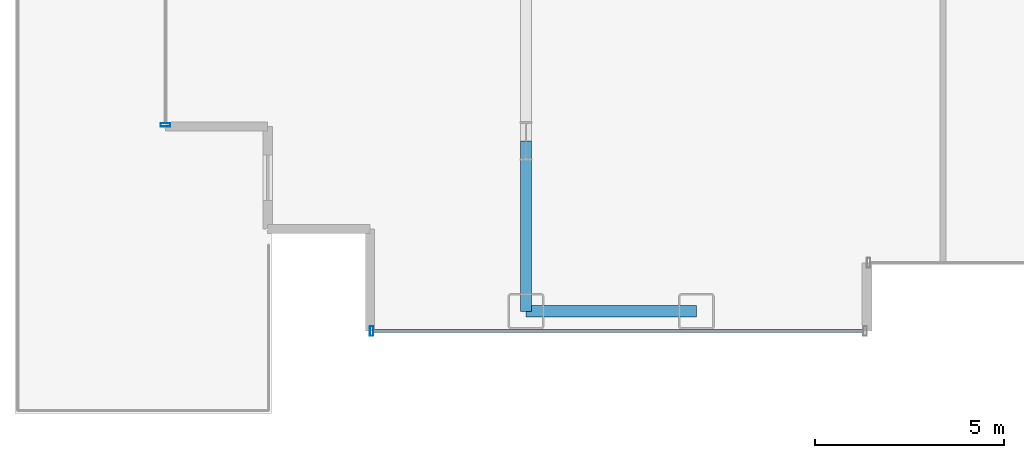
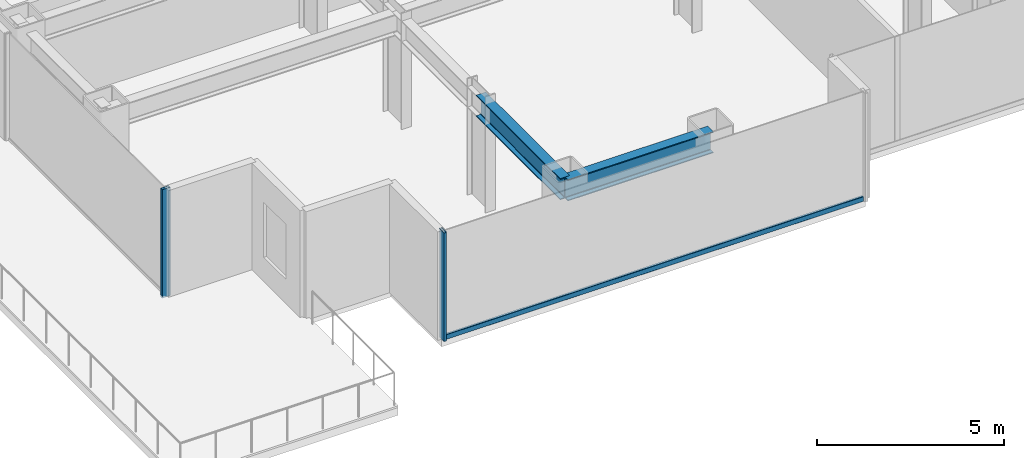
# One storey, part 2 of 30: 3 members, 2 beams, 2 elements without a shape of their own.
"""IFC4 building model written with IfcOpenShell, lengths in metres."""

from ifc_helpers import new_model, si_unit, direction, frame, origin, origin_2d, place, context, subcontext, project, spatial, hollow_rectangle, i_section, extrude, source, transform, mapped, material, layer, layer_set, material_profile, profile_set, type_object, element, aggregate, save


model = new_model("IFC4")

# Units and contexts
model_context = context("Model", 3, precision=1e-05, world=origin(), true_north=direction((0.0, 1.0)))
body_context = subcontext(model_context, "Body", "Model", "MODEL_VIEW")
ifc_project = project(units=[si_unit("LENGTHUNIT", "METRE"), si_unit("AREAUNIT", "SQUARE_METRE"), si_unit("VOLUMEUNIT", "CUBIC_METRE"), si_unit("PLANEANGLEUNIT", "RADIAN"), si_unit("MASSUNIT", "GRAM", prefix="KILO")], contexts=[model_context])

# Site, building, storey
site_placement = place(None, origin())
site = spatial("IfcSite", under=ifc_project, at=site_placement, CompositionType="ELEMENT")
building_placement = place(site_placement, origin())
building = spatial("IfcBuilding", under=site, at=building_placement, Name="Nefas-Gora Pilgrimage Tower", CompositionType="ELEMENT")
storey_placement = place(building_placement, frame((0.0, 0.0, 33.0)))
storey = spatial("IfcBuildingStorey", under=building, at=storey_placement, Name="L06", CompositionType="ELEMENT", Elevation=33.0)

# Beams
ifc_material_1 = material(Name="Steel S355", Category="steel")
ifc_material_profile_1 = material_profile(ifc_material_1, i_section(OverallWidth=0.300048828125, OverallDepth=0.699951171875, WebThickness=0.01708984375, FlangeThickness=0.031982421875, FilletRadius=0.027099609375, at=origin_2d()), Name="HEB 700")
ifc_profile_set_1 = profile_set([ifc_material_profile_1], Name="Steel S355")
beam_type_1 = type_object("IfcBeamType", Name="BM-SPN-HEB600", PredefinedType="SPANDREL", material=ifc_profile_set_1)
shared_shape_1 = source(origin(), body_context, "Body", "SweptSolid", [
    extrude(i_section(OverallWidth=0.300048828125, OverallDepth=0.699951171875, WebThickness=0.01708984375, FlangeThickness=0.031982421875, FilletRadius=0.027099609375, at=origin_2d()), origin(), (0.0, 0.0, 1.0), 4.5),
])
beam_1_placement = place(storey_placement, frame((-24.75, -22.5, 3.199951171875), z_axis=(1.0, 0.0, 0.0), x_axis=(0.0, 1.0, 0.0)))
element("IfcBeam", 1, at=beam_1_placement, inside=storey, type_object=beam_type_1, Name="L06 SP-01 beam", PredefinedType="SPANDREL", context=body_context, shape_type="MappedRepresentation", body=[
    mapped(shared_shape_1, transform((0.0, 0.0, 0.0), x_axis=(1.0, 0.0, 0.0), y_axis=(0.0, 1.0, 0.0), z_axis=(0.0, 0.0, 1.0), scale=1.0)),
])
ifc_material_profile_2 = material_profile(ifc_material_1, i_section(OverallWidth=0.300048828125, OverallDepth=0.699951171875, WebThickness=0.01708984375, FlangeThickness=0.031982421875, FilletRadius=0.027099609375, at=origin_2d()), Name="HEB 700")
ifc_profile_set_2 = profile_set([ifc_material_profile_2], Name="Steel S355")
beam_type_2 = type_object("IfcBeamType", Name="BM-GIR-HEB700", PredefinedType="BEAM", material=ifc_profile_set_2)
shared_shape_2 = source(origin(), body_context, "Body", "SweptSolid", [
    extrude(i_section(OverallWidth=0.300048828125, OverallDepth=0.699951171875, WebThickness=0.01708984375, FlangeThickness=0.031982421875, FilletRadius=0.027099609375, at=origin_2d()), origin(), (0.0, 0.0, 1.0), 4.5),
])
beam_2_placement = place(storey_placement, frame((-24.75, -22.5, 3.199951171875), z_axis=(0.0, 1.0, 0.0), x_axis=(-1.0, 0.0, 0.0)))
element("IfcBeam", 2, at=beam_2_placement, inside=storey, type_object=beam_type_2, Name="L06 G-02 beam", PredefinedType="BEAM", context=body_context, shape_type="MappedRepresentation", body=[
    mapped(shared_shape_2, transform((0.0, 0.0, 0.0), x_axis=(1.0, 0.0, 0.0), y_axis=(0.0, 1.0, 0.0), z_axis=(0.0, 0.0, 1.0), scale=1.0)),
])

# Curtain wall, member
ifc_material_2 = material(Name="Dark ceramic-fritted solar-control aluminium-glass curtain wall", Category="aluminium")
ifc_layer = layer(ifc_material_2, 0.219970703125)
ifc_layer_set = layer_set([ifc_layer], Name="Dark ceramic-fritted solar-control aluminium-glass curtain wall")
curtain_wall_type = type_object("IfcCurtainWallType", Name="CW-SYS-2", PredefinedType="NOTDEFINED", material=ifc_layer_set)
curtain_wall_1_placement = place(storey_placement, origin())
curtain_wall_1 = element("IfcCurtainWall", 3, at=curtain_wall_1_placement, inside=storey, type_object=curtain_wall_type, Name="L06 Unitised Curtain Wall CW2", PredefinedType="NOTDEFINED")
ifc_material_3 = material(Name="Anodised architectural aluminium", Category="aluminium")
ifc_material_profile_3 = material_profile(ifc_material_3, hollow_rectangle(XDim=0.090087890625, YDim=0.260009765625, WallThickness=0.006103515625, InnerFilletRadius=0.006103515625, OuterFilletRadius=0.011962890625, at=origin_2d()), Name="ALU MULLION 90x260")
ifc_profile_set_3 = profile_set([ifc_material_profile_3], Name="Anodised architectural aluminium")
member_type_1 = type_object("IfcMemberType", Name="CWM-MUL-2", PredefinedType="MULLION", material=ifc_profile_set_3)
shared_shape_3 = source(origin(), body_context, "Body", "SweptSolid", [
    extrude(hollow_rectangle(XDim=0.090087890625, YDim=0.260009765625, WallThickness=0.006103515625, InnerFilletRadius=0.006103515625, OuterFilletRadius=0.011962890625, at=origin_2d()), origin(), (0.0, 0.0, 1.0), 3.550048828125),
])
member_1_placement = place(storey_placement, frame((-34.27001953125, -17.574951171875, 0.0), z_axis=(0.0, 0.0, 1.0), x_axis=(0.0, -1.0, 0.0)))
member_1 = element("IfcMember", 4, at=member_1_placement, type_object=member_type_1, Name="CW2 Mullion 2", PredefinedType="MULLION", context=body_context, shape_type="MappedRepresentation", body=[
    mapped(shared_shape_3, transform((0.0, 0.0, 0.0), x_axis=(1.0, 0.0, 0.0), y_axis=(0.0, 1.0, 0.0), z_axis=(0.0, 0.0, 1.0), scale=1.0)),
])
aggregate(curtain_wall_1, [member_1])

# Curtain wall, members
curtain_wall_2_placement = place(storey_placement, origin())
curtain_wall_2 = element("IfcCurtainWall", 5, at=curtain_wall_2_placement, inside=storey, type_object=curtain_wall_type, Name="L06 Unitised Curtain Wall CW2", PredefinedType="NOTDEFINED")
member_2_placement = place(storey_placement, frame((-28.824951171875, -23.02001953125, 0.0), z_axis=(0.0, 0.0, 1.0), x_axis=(1.0, 0.0, 0.0)))
member_2 = element("IfcMember", 6, at=member_2_placement, type_object=member_type_1, Name="CW2 Mullion 1", PredefinedType="MULLION", context=body_context, shape_type="MappedRepresentation", body=[
    mapped(shared_shape_3, transform((0.0, 0.0, 0.0), x_axis=(1.0, 0.0, 0.0), y_axis=(0.0, 1.0, 0.0), z_axis=(0.0, 0.0, 1.0), scale=1.0)),
])
ifc_material_profile_4 = material_profile(ifc_material_3, hollow_rectangle(XDim=0.080078125, YDim=0.159912109375, WallThickness=0.00439453125, InnerFilletRadius=0.00439453125, OuterFilletRadius=0.009033203125, at=origin_2d()), Name="ALU TRANSOM 80x160")
ifc_profile_set_4 = profile_set([ifc_material_profile_4], Name="Anodised architectural aluminium")
member_type_2 = type_object("IfcMemberType", Name="CWM-TRN-2", PredefinedType="USERDEFINED", material=ifc_profile_set_4)
shared_shape_4 = source(origin(), body_context, "Body", "SweptSolid", [
    extrude(hollow_rectangle(XDim=0.080078125, YDim=0.159912109375, WallThickness=0.00439453125, InnerFilletRadius=0.00439453125, OuterFilletRadius=0.009033203125, at=origin_2d()), origin(), (0.0, 0.0, 1.0), 12.93994140625),
])
member_3_placement = place(storey_placement, frame((-28.780029296875, -23.02001953125, 0.050048828125), z_axis=(1.0, 0.0, 0.0), x_axis=(0.0, 1.0, 0.0)))
member_3 = element("IfcMember", 7, at=member_3_placement, type_object=member_type_2, Name="CW2 Spandrel Transom", ObjectType="TRANSOM", PredefinedType="USERDEFINED", context=body_context, shape_type="MappedRepresentation", body=[
    mapped(shared_shape_4, transform((0.0, 0.0, 0.0), x_axis=(1.0, 0.0, 0.0), y_axis=(0.0, 1.0, 0.0), z_axis=(0.0, 0.0, 1.0), scale=1.0)),
])
aggregate(curtain_wall_2, [member_2, member_3])

save(model, "model.ifc")
